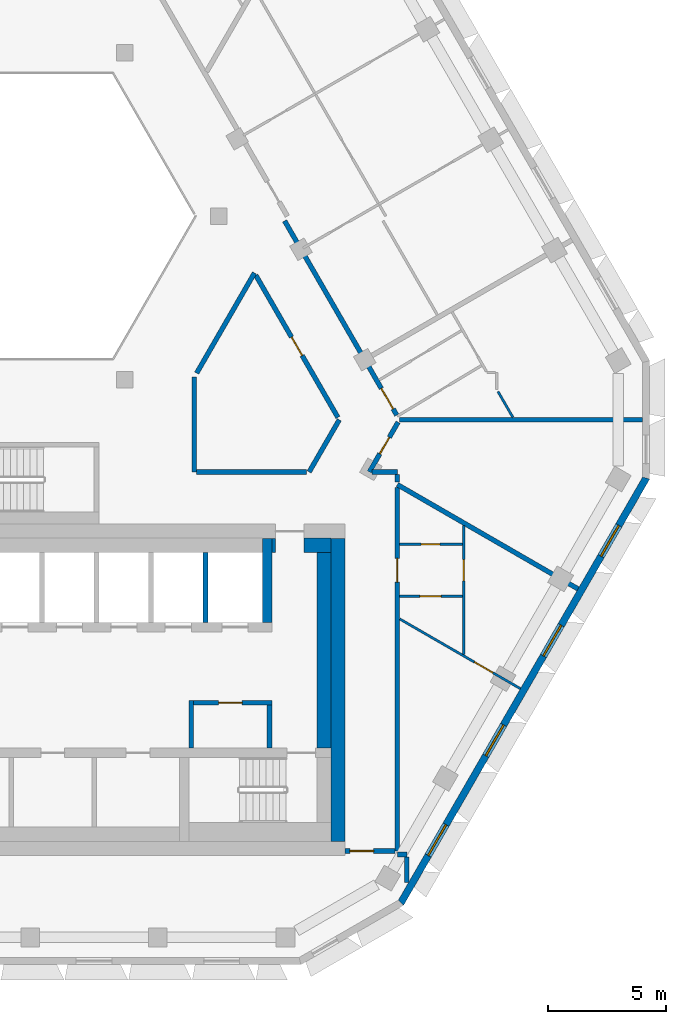
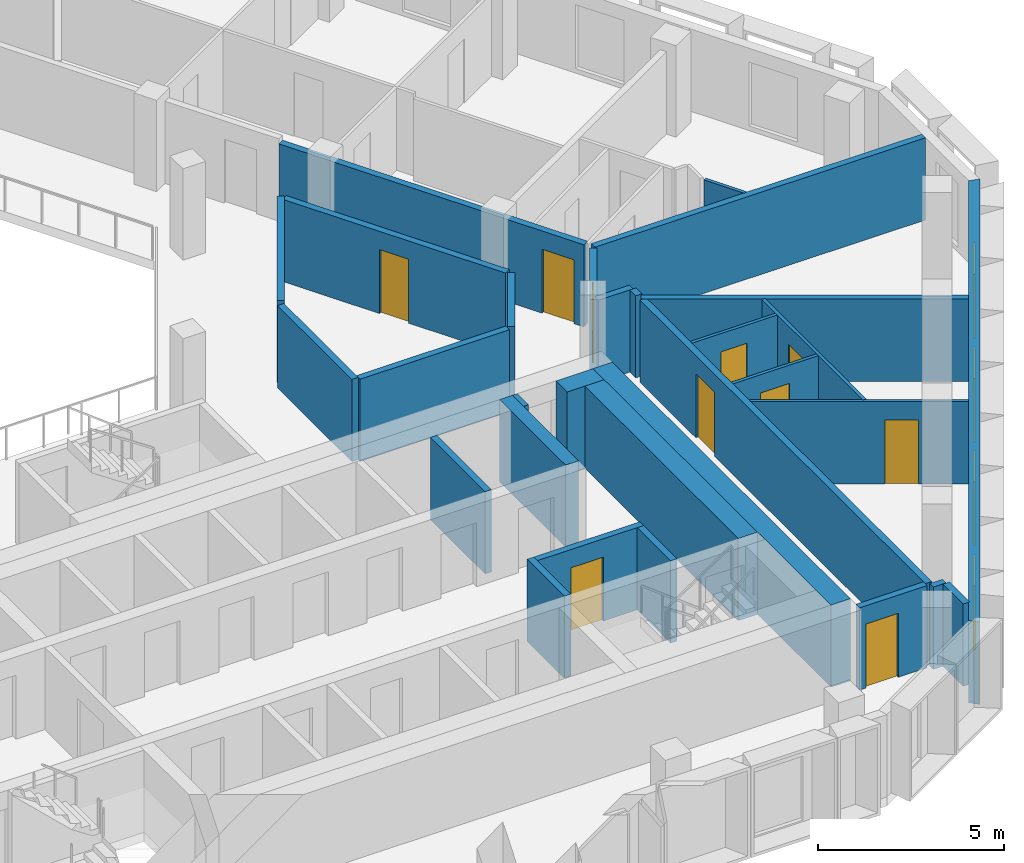
# One storey, part 5 of 15: 30 walls, 10 doors, 4 windows, 14 openings.
"""IFC4 building model written with IfcOpenShell, lengths in metres."""

from ifc_helpers import new_model, si_unit, direction, frame, frame_2d, origin, place, context, subcontext, project, spatial, polyline, rectangle, outline, extrude, material, layer, layer_set, type_object, element, fill, save


model = new_model("IFC4")

# Units and contexts
model_context = context("Model", 3, precision=1e-05, world=origin(), true_north=direction((0.0, 1.0)))
body_context = subcontext(model_context, "Body", "Model", "MODEL_VIEW")
ifc_project = project(units=[si_unit("LENGTHUNIT", "METRE"), si_unit("AREAUNIT", "SQUARE_METRE"), si_unit("VOLUMEUNIT", "CUBIC_METRE"), si_unit("PLANEANGLEUNIT", "RADIAN"), si_unit("MASSUNIT", "GRAM", prefix="KILO")], contexts=[model_context])

# Site, building, storey
site_placement = place(None, origin())
site = spatial("IfcSite", under=ifc_project, at=site_placement, CompositionType="ELEMENT")
building_placement = place(site_placement, origin())
building = spatial("IfcBuilding", under=site, at=building_placement, Name="Beryl Residences", CompositionType="ELEMENT")
storey_placement = place(building_placement, frame((0.0, 0.0, 193.199951171875)))
storey = spatial("IfcBuildingStorey", under=building, at=storey_placement, Name="L59", CompositionType="ELEMENT", Elevation=193.199951171875)

# Wall, openings, windows
ifc_material_1 = material(Name="Composite metal panel with mineral wool insulation")
ifc_layer_1 = layer(ifc_material_1, 0.300048828125)
ifc_layer_set_1 = layer_set([ifc_layer_1], Name="ES1 pale metal composite panel wall 300 mm")
wall_type_1 = type_object("IfcWallType", Name="ES1 pale metal composite panel wall 300 mm", PredefinedType="SOLIDWALL", material=ifc_layer_set_1)
wall_1_placement = place(storey_placement, frame((15.631103515625, -21.02490234375, 0.0), z_axis=(0.0, 0.0, 1.0), x_axis=(0.500018670445, 0.86601462413, 0.0)))
wall_1 = element("IfcWall", 1, at=wall_1_placement, inside=storey, type_object=wall_type_1, Name="ES1 external wall L59 SE", PredefinedType="SOLIDWALL", context=body_context, shape_type="SweptSolid", body=[
    extrude(outline(polyline([(0.0, -0.14990234375), (20.784912109375, -0.14990234375), (20.70458984375, 0.14990234375), (0.080322265625, 0.14990234375), (0.0, -0.14990234375)])), origin(), (0.0, 0.0, 1.0), 2.699951171875),
])
opening_1_placement = place(wall_1_placement, frame((2.345947265625, 0.0, 0.14990234375)))
opening_1 = element("IfcOpeningElement", 2, at=opening_1_placement, cuts=wall_1, Name="Opening W1", PredefinedType="OPENING", context=body_context, shape_type="SweptSolid", body=[
    extrude(rectangle(XDim=1.5, YDim=2.10009765625, at=frame_2d((0.75, 1.050048828125))), frame((0.0, 0.159912109375, 0.0), z_axis=(0.0, -1.0, 0.0), x_axis=(1.0, 0.0, 0.0)), (0.0, 0.0, 1.0), 0.320068359375),
])
opening_2_placement = place(wall_1_placement, frame((7.2099609375, 0.0, 0.14990234375)))
opening_2 = element("IfcOpeningElement", 3, at=opening_2_placement, cuts=wall_1, Name="Opening W1", PredefinedType="OPENING", context=body_context, shape_type="SweptSolid", body=[
    extrude(rectangle(XDim=1.5, YDim=2.10009765625, at=frame_2d((0.75, 1.050048828125))), frame((0.0, 0.159912109375, 0.0), z_axis=(0.0, -1.0, 0.0), x_axis=(1.0, 0.0, 0.0)), (0.0, 0.0, 1.0), 0.320068359375),
])
opening_3_placement = place(wall_1_placement, frame((12.072998046875, 0.0, 0.14990234375)))
opening_3 = element("IfcOpeningElement", 4, at=opening_3_placement, cuts=wall_1, Name="Opening W1", PredefinedType="OPENING", context=body_context, shape_type="SweptSolid", body=[
    extrude(rectangle(XDim=1.5, YDim=2.10009765625, at=frame_2d((0.75, 1.050048828125))), frame((0.0, 0.159912109375, 0.0), z_axis=(0.0, -1.0, 0.0), x_axis=(1.0, 0.0, 0.0)), (0.0, 0.0, 1.0), 0.320068359375),
])
opening_4_placement = place(wall_1_placement, frame((16.93798828125, 0.0, 0.14990234375)))
opening_4 = element("IfcOpeningElement", 5, at=opening_4_placement, cuts=wall_1, Name="Opening W1", PredefinedType="OPENING", context=body_context, shape_type="SweptSolid", body=[
    extrude(rectangle(XDim=1.5, YDim=2.10009765625, at=frame_2d((0.75, 1.050048828125))), frame((0.0, 0.159912109375, 0.0), z_axis=(0.0, -1.0, 0.0), x_axis=(1.0, 0.0, 0.0)), (0.0, 0.0, 1.0), 0.320068359375),
])
ifc_material_2 = material(Name="Aluminium and clear glass", Category="aluminium")
window_type = type_object("IfcWindowType", Name="W1 cell window 1500 x 2100 mm", PartitioningType="SINGLE_PANEL", PredefinedType="WINDOW", material=ifc_material_2)
window_1_placement = place(opening_1_placement, origin())
window_1 = element("IfcWindow", 6, at=window_1_placement, inside=storey, type_object=window_type, Name="W1 window L59 SE 2", OverallHeight=2.10009765625, OverallWidth=1.5, PartitioningType="SINGLE_PANEL", PredefinedType="WINDOW", context=body_context, shape_type="SweptSolid", body=[
    extrude(rectangle(XDim=1.5, YDim=2.10009765625, at=frame_2d((0.75, 1.050048828125))), frame((0.0, 0.030029296875, 0.0), z_axis=(0.0, -1.0, 0.0), x_axis=(1.0, 0.0, 0.0)), (0.0, 0.0, 1.0), 0.06005859375),
])
fill(opening_1, window_1)
window_2_placement = place(opening_2_placement, origin())
window_2 = element("IfcWindow", 7, at=window_2_placement, inside=storey, type_object=window_type, Name="W1 window L59 SE 4", OverallHeight=2.10009765625, OverallWidth=1.5, PartitioningType="SINGLE_PANEL", PredefinedType="WINDOW", context=body_context, shape_type="SweptSolid", body=[
    extrude(rectangle(XDim=1.5, YDim=2.10009765625, at=frame_2d((0.75, 1.050048828125))), frame((0.0, 0.030029296875, 0.0), z_axis=(0.0, -1.0, 0.0), x_axis=(1.0, 0.0, 0.0)), (0.0, 0.0, 1.0), 0.06005859375),
])
fill(opening_2, window_2)
window_3_placement = place(opening_3_placement, origin())
window_3 = element("IfcWindow", 8, at=window_3_placement, inside=storey, type_object=window_type, Name="W1 window L59 SE 6", OverallHeight=2.10009765625, OverallWidth=1.5, PartitioningType="SINGLE_PANEL", PredefinedType="WINDOW", context=body_context, shape_type="SweptSolid", body=[
    extrude(rectangle(XDim=1.5, YDim=2.10009765625, at=frame_2d((0.75, 1.050048828125))), frame((0.0, 0.030029296875, 0.0), z_axis=(0.0, -1.0, 0.0), x_axis=(1.0, 0.0, 0.0)), (0.0, 0.0, 1.0), 0.06005859375),
])
fill(opening_3, window_3)
window_4_placement = place(opening_4_placement, origin())
window_4 = element("IfcWindow", 9, at=window_4_placement, inside=storey, type_object=window_type, Name="W1 window L59 SE 8", OverallHeight=2.10009765625, OverallWidth=1.5, PartitioningType="SINGLE_PANEL", PredefinedType="WINDOW", context=body_context, shape_type="SweptSolid", body=[
    extrude(rectangle(XDim=1.5, YDim=2.10009765625, at=frame_2d((0.75, 1.050048828125))), frame((0.0, 0.030029296875, 0.0), z_axis=(0.0, -1.0, 0.0), x_axis=(1.0, 0.0, 0.0)), (0.0, 0.0, 1.0), 0.06005859375),
])
fill(opening_4, window_4)

# Wall
ifc_material_3 = material(Name="Gypsum board partition on steel studs", Category="steel")
ifc_layer_2 = layer(ifc_material_3, 0.10009765625)
ifc_layer_set_2 = layer_set([ifc_layer_2], Name="PT1 partition 100 mm gypsum board on steel studs")
wall_type_2 = type_object("IfcWallType", Name="PT1 partition 100 mm gypsum board on steel studs", PredefinedType="PARTITIONING", material=ifc_layer_set_2)
wall_2_placement = place(storey_placement, frame((19.75, 0.592041015625, 0.0), z_axis=(0.0, 0.0, 1.0), x_axis=(0.499974077718, -0.866040369504, 0.0)))
element("IfcWall", 10, at=wall_2_placement, inside=storey, type_object=wall_type_2, Name="Wall PT1 L59 005", PredefinedType="PARTITIONING", context=body_context, shape_type="SweptSolid", body=[
    extrude(rectangle(XDim=1.259765625, YDim=0.10009765625, at=frame_2d((0.6298828125, 0.0))), origin(), (0.0, 0.0, 1.0), 2.699951171875),
])

# Wall, opening, door
wall_3_placement = place(storey_placement, frame((15.60009765625, -9.008056640625, 0.0), z_axis=(0.0, 0.0, 1.0), x_axis=(0.866013576751, -0.500020484464, 0.0)))
wall_3 = element("IfcWall", 11, at=wall_3_placement, inside=storey, type_object=wall_type_2, Name="Wall PT1 L59 014", PredefinedType="PARTITIONING", context=body_context, shape_type="SweptSolid", body=[
    extrude(rectangle(XDim=5.885498046875, YDim=0.10009765625, at=frame_2d((2.94287109375, 0.0))), origin(), (0.0, 0.0, 1.0), 2.699951171875),
])
opening_5_placement = place(wall_3_placement, frame((3.639892578125, 0.0, 0.0)))
opening_5 = element("IfcOpeningElement", 12, at=opening_5_placement, cuts=wall_3, Name="Opening D1736", PredefinedType="OPENING", context=body_context, shape_type="SweptSolid", body=[
    extrude(rectangle(XDim=0.89990234375, YDim=2.10009765625, at=frame_2d((0.449951171875, 1.050048828125))), frame((0.0, 0.06005859375, 0.0), z_axis=(0.0, -1.0, 0.0), x_axis=(1.0, 0.0, 0.0)), (0.0, 0.0, 1.0), 0.1201171875),
])
ifc_material_4 = material(Name="Timber door leaf", Category="wood")
door_type_1 = type_object("IfcDoorType", Name="D2 room door 900 x 2100 mm", OperationType="SINGLE_SWING_LEFT", PredefinedType="DOOR", material=ifc_material_4)
door_1_placement = place(opening_5_placement, origin())
door_1 = element("IfcDoor", 13, at=door_1_placement, inside=storey, type_object=door_type_1, Name="Door D1736 L59 001", OperationType="SINGLE_SWING_RIGHT", OverallHeight=2.10009765625, OverallWidth=0.89990234375, PredefinedType="DOOR", context=body_context, shape_type="SweptSolid", body=[
    extrude(rectangle(XDim=0.89990234375, YDim=2.10009765625, at=frame_2d((0.449951171875, 1.050048828125))), frame((0.0, 0.02490234375, 0.0), z_axis=(0.0, -1.0, 0.0), x_axis=(1.0, 0.0, 0.0)), (0.0, 0.0, 1.0), 0.050048828125),
])
fill(opening_5, door_1)

wall_4_placement = place(storey_placement, frame((15.60009765625, -5.85107421875, 0.0), z_axis=(0.0, 0.0, 1.0), x_axis=(1.0, 0.0, 0.0)))
wall_4 = element("IfcWall", 14, at=wall_4_placement, inside=storey, type_object=wall_type_2, Name="Wall PT1 L59 017", PredefinedType="PARTITIONING", context=body_context, shape_type="SweptSolid", body=[
    extrude(rectangle(XDim=2.64990234375, YDim=0.10009765625, at=frame_2d((1.324951171875, 0.0))), origin(), (0.0, 0.0, 1.0), 2.699951171875),
])
opening_6_placement = place(wall_4_placement, frame((0.89990234375, 0.0, 0.0)))
opening_6 = element("IfcOpeningElement", 15, at=opening_6_placement, cuts=wall_4, Name="Opening D1733", PredefinedType="OPENING", context=body_context, shape_type="SweptSolid", body=[
    extrude(rectangle(XDim=0.800048828125, YDim=2.10009765625, at=frame_2d((0.39990234375, 1.050048828125))), frame((0.0, 0.06005859375, 0.0), z_axis=(0.0, -1.0, 0.0), x_axis=(1.0, 0.0, 0.0)), (0.0, 0.0, 1.0), 0.1201171875),
])
ifc_material_5 = material(Name="Timber door leaf", Category="wood")
door_type_2 = type_object("IfcDoorType", Name="D3 bathroom door 800 x 2100 mm", OperationType="SINGLE_SWING_LEFT", PredefinedType="DOOR", material=ifc_material_5)
door_2_placement = place(opening_6_placement, origin())
door_2 = element("IfcDoor", 16, at=door_2_placement, inside=storey, type_object=door_type_2, Name="Door D1733 L59 001", OperationType="SINGLE_SWING_LEFT", OverallHeight=2.10009765625, OverallWidth=0.800048828125, PredefinedType="DOOR", context=body_context, shape_type="SweptSolid", body=[
    extrude(rectangle(XDim=0.800048828125, YDim=2.10009765625, at=frame_2d((0.39990234375, 1.050048828125))), frame((0.0, 0.02490234375, 0.0), z_axis=(0.0, -1.0, 0.0), x_axis=(1.0, 0.0, 0.0)), (0.0, 0.0, 1.0), 0.050048828125),
])
fill(opening_6, door_2)

wall_5_placement = place(storey_placement, frame((15.60009765625, -8.051025390625, 0.0), z_axis=(0.0, 0.0, 1.0), x_axis=(1.0, 0.0, 0.0)))
wall_5 = element("IfcWall", 17, at=wall_5_placement, inside=storey, type_object=wall_type_2, Name="Wall PT1 L59 018", PredefinedType="PARTITIONING", context=body_context, shape_type="SweptSolid", body=[
    extrude(rectangle(XDim=2.64990234375, YDim=0.10009765625, at=frame_2d((1.324951171875, 0.0))), origin(), (0.0, 0.0, 1.0), 2.699951171875),
])
opening_7_placement = place(wall_5_placement, frame((0.85009765625, 0.0, 0.0)))
opening_7 = element("IfcOpeningElement", 18, at=opening_7_placement, cuts=wall_5, Name="Opening D1734", PredefinedType="OPENING", context=body_context, shape_type="SweptSolid", body=[
    extrude(rectangle(XDim=0.89990234375, YDim=2.10009765625, at=frame_2d((0.449951171875, 1.050048828125))), frame((0.0, 0.06005859375, 0.0), z_axis=(0.0, -1.0, 0.0), x_axis=(1.0, 0.0, 0.0)), (0.0, 0.0, 1.0), 0.1201171875),
])
door_3_placement = place(opening_7_placement, origin())
door_3 = element("IfcDoor", 19, at=door_3_placement, inside=storey, type_object=door_type_1, Name="Door D1734 L59 001", OperationType="SINGLE_SWING_RIGHT", OverallHeight=2.10009765625, OverallWidth=0.89990234375, PredefinedType="DOOR", context=body_context, shape_type="SweptSolid", body=[
    extrude(rectangle(XDim=0.89990234375, YDim=2.10009765625, at=frame_2d((0.449951171875, 1.050048828125))), frame((0.0, 0.02490234375, 0.0), z_axis=(0.0, -1.0, 0.0), x_axis=(1.0, 0.0, 0.0)), (0.0, 0.0, 1.0), 0.050048828125),
])
fill(opening_7, door_3)

wall_6_placement = place(storey_placement, frame((18.300048828125, -10.509033203125, 0.0), z_axis=(0.0, 0.0, 1.0), x_axis=(0.0, 1.0, 0.0)))
wall_6 = element("IfcWall", 20, at=wall_6_placement, inside=storey, type_object=wall_type_2, Name="Wall PT1 L59 032", PredefinedType="PARTITIONING", context=body_context, shape_type="SweptSolid", body=[
    extrude(rectangle(XDim=5.443115234375, YDim=0.10009765625, at=frame_2d((2.7216796875, 0.0))), origin(), (0.0, 0.0, 1.0), 2.699951171875),
])
opening_8_placement = place(wall_6_placement, frame((3.10888671875, 0.0, 0.0)))
opening_8 = element("IfcOpeningElement", 21, at=opening_8_placement, cuts=wall_6, Name="Opening D1735", PredefinedType="OPENING", context=body_context, shape_type="SweptSolid", body=[
    extrude(rectangle(XDim=0.89990234375, YDim=2.10009765625, at=frame_2d((0.449951171875, 1.050048828125))), frame((0.0, 0.06005859375, 0.0), z_axis=(0.0, -1.0, 0.0), x_axis=(1.0, 0.0, 0.0)), (0.0, 0.0, 1.0), 0.1201171875),
])
door_4_placement = place(opening_8_placement, origin())
door_4 = element("IfcDoor", 22, at=door_4_placement, inside=storey, type_object=door_type_1, Name="Door D1735 L59 001", OperationType="SINGLE_SWING_LEFT", OverallHeight=2.10009765625, OverallWidth=0.89990234375, PredefinedType="DOOR", context=body_context, shape_type="SweptSolid", body=[
    extrude(rectangle(XDim=0.89990234375, YDim=2.10009765625, at=frame_2d((0.449951171875, 1.050048828125))), frame((0.0, 0.02490234375, 0.0), z_axis=(0.0, -1.0, 0.0), x_axis=(1.0, 0.0, 0.0)), (0.0, 0.0, 1.0), 0.050048828125),
])
fill(opening_8, door_4)

# Wall
ifc_material_6 = material(Name="Concrete masonry", Category="masonry")
ifc_layer_3 = layer(ifc_material_6, 0.199951171875)
ifc_layer_set_3 = layer_set([ifc_layer_3], Name="PT13 lobby wall 200 mm")
wall_type_3 = type_object("IfcWallType", Name="PT13 lobby wall 200 mm", PredefinedType="PARTITIONING", material=ifc_layer_set_3)
wall_7_placement = place(storey_placement, frame((6.800048828125, -14.449951171875, 0.0), z_axis=(0.0, 0.0, 1.0), x_axis=(0.0, 1.0, 0.0)))
element("IfcWall", 23, at=wall_7_placement, inside=storey, type_object=wall_type_3, Name="Lobby wall 24", PredefinedType="PARTITIONING", context=body_context, shape_type="SweptSolid", body=[
    extrude(rectangle(XDim=2.0, YDim=0.199951171875, at=frame_2d((1.0, 0.0))), origin(), (0.0, 0.0, 1.0), 2.699951171875),
])

# Wall, opening, door
wall_8_placement = place(storey_placement, frame((6.89990234375, -12.550048828125, 0.0), z_axis=(0.0, 0.0, 1.0), x_axis=(1.0, 0.0, 0.0)))
wall_8 = element("IfcWall", 24, at=wall_8_placement, inside=storey, type_object=wall_type_3, Name="Lobby wall 25", PredefinedType="PARTITIONING", context=body_context, shape_type="SweptSolid", body=[
    extrude(rectangle(XDim=3.300048828125, YDim=0.199951171875, at=frame_2d((1.64990234375, 0.0))), origin(), (0.0, 0.0, 1.0), 2.699951171875),
])
opening_9_placement = place(wall_8_placement, frame((2.050048828125, 0.0, 0.0), z_axis=(0.0, 0.0, 1.0), x_axis=(-1.0, 0.0, 0.0)))
opening_9 = element("IfcOpeningElement", 25, at=opening_9_placement, cuts=wall_8, Name="Opening CD-D-A1", PredefinedType="OPENING", context=body_context, shape_type="SweptSolid", body=[
    extrude(rectangle(XDim=1.0, YDim=2.10009765625, at=frame_2d((0.5, 1.050048828125))), frame((0.0, 0.10986328125, 0.0), z_axis=(0.0, -1.0, 0.0), x_axis=(1.0, 0.0, 0.0)), (0.0, 0.0, 1.0), 0.219970703125),
])
ifc_material_7 = material(Name="Steel door leaf in steel frame", Category="steel")
door_type_3 = type_object("IfcDoorType", Name="D18 service room door 1000 x 2100 mm", OperationType="SINGLE_SWING_LEFT", PredefinedType="DOOR", material=ifc_material_7)
door_5_placement = place(opening_9_placement, origin())
door_5 = element("IfcDoor", 26, at=door_5_placement, inside=storey, type_object=door_type_3, Name="Door CD-D-A1 L59 001", OperationType="SINGLE_SWING_RIGHT", OverallHeight=2.10009765625, OverallWidth=1.0, PredefinedType="DOOR", context=body_context, shape_type="SweptSolid", body=[
    extrude(rectangle(XDim=1.0, YDim=2.10009765625, at=frame_2d((0.5, 1.050048828125))), frame((0.0, 0.02490234375, 0.0), z_axis=(0.0, -1.0, 0.0), x_axis=(1.0, 0.0, 0.0)), (0.0, 0.0, 1.0), 0.050048828125),
])
fill(opening_9, door_5)

# Walls
wall_9_placement = place(storey_placement, frame((10.10009765625, -14.449951171875, 0.0), z_axis=(0.0, 0.0, 1.0), x_axis=(0.0, 1.0, 0.0)))
element("IfcWall", 27, at=wall_9_placement, inside=storey, type_object=wall_type_3, Name="Lobby wall 27", PredefinedType="PARTITIONING", context=body_context, shape_type="SweptSolid", body=[
    extrude(rectangle(XDim=1.800048828125, YDim=0.199951171875, at=frame_2d((0.89990234375, 0.0))), origin(), (0.0, 0.0, 1.0), 2.699951171875),
])
ifc_material_8 = material(Name="Concrete masonry", Category="masonry")
ifc_layer_4 = layer(ifc_material_8, 0.14990234375)
ifc_layer_set_4 = layer_set([ifc_layer_4], Name="PT13-150 lobby wall 150 mm")
wall_type_4 = type_object("IfcWallType", Name="PT13-150 lobby wall 150 mm", PredefinedType="PARTITIONING", material=ifc_layer_set_4)
wall_10_placement = place(storey_placement, frame((10.27490234375, -6.199951171875, 0.0), z_axis=(0.0, 0.0, 1.0), x_axis=(0.0, 1.0, 0.0)))
element("IfcWall", 28, at=wall_10_placement, inside=storey, type_object=wall_type_4, Name="Lobby wall 28", PredefinedType="PARTITIONING", context=body_context, shape_type="SweptSolid", body=[
    extrude(rectangle(XDim=0.599853515625, YDim=0.14990234375, at=frame_2d((0.2998046875, 0.0))), origin(), (0.0, 0.0, 1.0), 2.699951171875),
])
ifc_material_9 = material(Name="Concrete masonry", Category="masonry")
ifc_layer_5 = layer(ifc_material_9, 0.60009765625)
ifc_layer_set_5 = layer_set([ifc_layer_5], Name="PT13-600 lobby wall 600 mm")
wall_type_5 = type_object("IfcWallType", Name="PT13-600 lobby wall 600 mm", PredefinedType="PARTITIONING", material=ifc_layer_set_5)
wall_11_placement = place(storey_placement, frame((11.550048828125, -5.89990234375, 0.0), z_axis=(0.0, 0.0, 1.0), x_axis=(1.0, 0.0, 0.0)))
element("IfcWall", 29, at=wall_11_placement, inside=storey, type_object=wall_type_5, Name="Lobby wall 29", PredefinedType="PARTITIONING", context=body_context, shape_type="SweptSolid", body=[
    extrude(rectangle(XDim=1.14990234375, YDim=0.60009765625, at=frame_2d((0.574951171875, 0.0))), origin(), (0.0, 0.0, 1.0), 2.699951171875),
])
wall_12_placement = place(storey_placement, frame((12.39990234375, -14.449951171875, 0.0), z_axis=(0.0, 0.0, 1.0), x_axis=(0.0, 1.0, 0.0)))
element("IfcWall", 30, at=wall_12_placement, inside=storey, type_object=wall_type_5, Name="Lobby wall 31", PredefinedType="PARTITIONING", context=body_context, shape_type="SweptSolid", body=[
    extrude(rectangle(XDim=8.25, YDim=0.60009765625, at=frame_2d((4.125, 0.0))), origin(), (0.0, 0.0, 1.0), 2.699951171875),
])
ifc_material_10 = material(Name="Acoustic double stud gypsum board wall")
ifc_layer_6 = layer(ifc_material_10, 0.199951171875)
ifc_layer_set_6 = layer_set([ifc_layer_6], Name="PT3 party wall 200 mm acoustic double stud")
wall_type_6 = type_object("IfcWallType", Name="PT3 party wall 200 mm acoustic double stud", PredefinedType="PARTITIONING", material=ifc_layer_set_6)
wall_13_placement = place(storey_placement, frame((15.89990234375, -19.051025390625, 0.0), z_axis=(0.0, 0.0, 1.0), x_axis=(0.0, -1.0, 0.0)))
element("IfcWall", 31, at=wall_13_placement, inside=storey, type_object=wall_type_6, Name="Wall PT3 L59 002", PredefinedType="PARTITIONING", context=body_context, shape_type="SweptSolid", body=[
    extrude(rectangle(XDim=1.0869140625, YDim=0.199951171875, at=frame_2d((0.54345703125, 0.0))), origin(), (0.0, 0.0, 1.0), 2.699951171875),
])
wall_14_placement = place(storey_placement, frame((15.5, -3.333984375, 0.0), z_axis=(0.0, 0.0, 1.0), x_axis=(0.866001896501, -0.5000407136, 0.0)))
element("IfcWall", 32, at=wall_14_placement, inside=storey, type_object=wall_type_6, Name="Wall PT3 L59 004", PredefinedType="PARTITIONING", context=body_context, shape_type="SweptSolid", body=[
    extrude(rectangle(XDim=8.809326171875, YDim=0.199951171875, at=frame_2d((4.40478515625, 0.0))), origin(), (0.0, 0.0, 1.0), 2.699951171875),
])
wall_15_placement = place(storey_placement, frame((15.587890625, -0.59912109375, 0.0), z_axis=(0.0, 0.0, 1.0), x_axis=(1.0, 0.0, 0.0)))
element("IfcWall", 33, at=wall_15_placement, inside=storey, type_object=wall_type_6, Name="Wall PT3 L59 006", PredefinedType="PARTITIONING", context=body_context, shape_type="SweptSolid", body=[
    extrude(rectangle(XDim=10.26611328125, YDim=0.199951171875, at=frame_2d((5.133056640625, 0.0))), origin(), (0.0, 0.0, 1.0), 2.699951171875),
])
wall_16_placement = place(storey_placement, frame((15.4990234375, -18.949951171875, 0.0), z_axis=(0.0, 0.0, 1.0), x_axis=(1.0, 0.0, 0.0)))
element("IfcWall", 34, at=wall_16_placement, inside=storey, type_object=wall_type_6, Name="Wall PT3 L59 013", PredefinedType="PARTITIONING", context=body_context, shape_type="SweptSolid", body=[
    extrude(rectangle(XDim=0.39990234375, YDim=0.199951171875, at=frame_2d((0.199951171875, 0.0))), origin(), (0.0, 0.0, 1.0), 2.699951171875),
])

# Wall, opening, door
ifc_material_11 = material(Name="Double stud gypsum board wall")
ifc_layer_7 = layer(ifc_material_11, 0.199951171875)
ifc_layer_set_7 = layer_set([ifc_layer_7], Name="PT4 corridor wall 200 mm double stud")
wall_type_7 = type_object("IfcWallType", Name="PT4 corridor wall 200 mm double stud", PredefinedType="PARTITIONING", material=ifc_layer_set_7)
wall_17_placement = place(storey_placement, frame((9.52587890625, 5.5, 0.0), z_axis=(0.0, 0.0, 1.0), x_axis=(0.500062092869, -0.865989551482, 0.0)))
wall_17 = element("IfcWall", 35, at=wall_17_placement, inside=storey, type_object=wall_type_7, Name="Wall PT4 L59 004", PredefinedType="PARTITIONING", context=body_context, shape_type="SweptSolid", body=[
    extrude(rectangle(XDim=6.92724609375, YDim=0.199951171875, at=frame_2d((3.463623046875, 0.0))), origin(), (0.0, 0.0, 1.0), 2.699951171875),
])
opening_10_placement = place(wall_17_placement, frame((3.013916015625, 0.0, 0.0)))
opening_10 = element("IfcOpeningElement", 36, at=opening_10_placement, cuts=wall_17, Name="Opening D1743", PredefinedType="OPENING", context=body_context, shape_type="SweptSolid", body=[
    extrude(rectangle(XDim=0.89990234375, YDim=2.10009765625, at=frame_2d((0.449951171875, 1.050048828125))), frame((0.0, 0.10986328125, 0.0), z_axis=(0.0, -1.0, 0.0), x_axis=(1.0, 0.0, 0.0)), (0.0, 0.0, 1.0), 0.219970703125),
])
door_6_placement = place(opening_10_placement, origin())
door_6 = element("IfcDoor", 37, at=door_6_placement, inside=storey, type_object=door_type_1, Name="Door D1743 L59 001", OperationType="SINGLE_SWING_LEFT", OverallHeight=2.10009765625, OverallWidth=0.89990234375, PredefinedType="DOOR", context=body_context, shape_type="SweptSolid", body=[
    extrude(rectangle(XDim=0.89990234375, YDim=2.10009765625, at=frame_2d((0.449951171875, 1.050048828125))), frame((0.0, 0.02490234375, 0.0), z_axis=(0.0, -1.0, 0.0), x_axis=(1.0, 0.0, 0.0)), (0.0, 0.0, 1.0), 0.050048828125),
])
fill(opening_10, door_6)

wall_18_placement = place(storey_placement, frame((10.739013671875, 7.800048828125, 0.0), z_axis=(0.0, 0.0, 1.0), x_axis=(0.500023726918, -0.866011704609, 0.0)))
wall_18 = element("IfcWall", 38, at=wall_18_placement, inside=storey, type_object=wall_type_7, Name="Wall PT4 L59 005", PredefinedType="PARTITIONING", context=body_context, shape_type="SweptSolid", body=[
    extrude(rectangle(XDim=9.4697265625, YDim=0.199951171875, at=frame_2d((4.73486328125, 0.0))), origin(), (0.0, 0.0, 1.0), 2.699951171875),
])
opening_11_placement = place(wall_18_placement, frame((8.16796875, 0.0, 0.0)))
opening_11 = element("IfcOpeningElement", 39, at=opening_11_placement, cuts=wall_18, Name="Opening D1738", PredefinedType="OPENING", context=body_context, shape_type="SweptSolid", body=[
    extrude(rectangle(XDim=1.0, YDim=2.10009765625, at=frame_2d((0.5, 1.050048828125))), frame((0.0, 0.10986328125, 0.0), z_axis=(0.0, -1.0, 0.0), x_axis=(1.0, 0.0, 0.0)), (0.0, 0.0, 1.0), 0.219970703125),
])
ifc_material_12 = material(Name="Timber door leaf", Category="wood")
door_type_4 = type_object("IfcDoorType", Name="D1 flat entrance door 1000 x 2100 mm", OperationType="SINGLE_SWING_LEFT", PredefinedType="DOOR", material=ifc_material_12)
door_7_placement = place(opening_11_placement, origin())
door_7 = element("IfcDoor", 40, at=door_7_placement, inside=storey, type_object=door_type_4, Name="Door D1738 L59 001", OperationType="SINGLE_SWING_RIGHT", OverallHeight=2.10009765625, OverallWidth=1.0, PredefinedType="DOOR", context=body_context, shape_type="SweptSolid", body=[
    extrude(rectangle(XDim=1.0, YDim=2.10009765625, at=frame_2d((0.5, 1.050048828125))), frame((0.0, 0.02490234375, 0.0), z_axis=(0.0, -1.0, 0.0), x_axis=(1.0, 0.0, 0.0)), (0.0, 0.0, 1.0), 0.050048828125),
])
fill(opening_11, door_7)

# Wall
wall_19_placement = place(storey_placement, frame((15.5, -2.90087890625, 0.0), z_axis=(0.0, 0.0, 1.0), x_axis=(0.0, -1.0, 0.0)))
element("IfcWall", 41, at=wall_19_placement, inside=storey, type_object=wall_type_7, Name="Wall PT4 L59 007", PredefinedType="PARTITIONING", context=body_context, shape_type="SweptSolid", body=[
    extrude(rectangle(XDim=0.318115234375, YDim=0.199951171875, at=frame_2d((0.1591796875, 0.0))), origin(), (0.0, 0.0, 1.0), 2.699951171875),
])

# Wall, opening, door
wall_20_placement = place(storey_placement, frame((13.300048828125, -18.800048828125, 0.0), z_axis=(0.0, 0.0, 1.0), x_axis=(1.0, 0.0, 0.0)))
wall_20 = element("IfcWall", 42, at=wall_20_placement, inside=storey, type_object=wall_type_7, Name="Wall PT4 L59 009", PredefinedType="PARTITIONING", context=body_context, shape_type="SweptSolid", body=[
    extrude(rectangle(XDim=2.098876953125, YDim=0.199951171875, at=frame_2d((1.04931640625, 0.0))), origin(), (0.0, 0.0, 1.0), 2.699951171875),
])
opening_12_placement = place(wall_20_placement, frame((0.199951171875, 0.0, 0.0)))
opening_12 = element("IfcOpeningElement", 43, at=opening_12_placement, cuts=wall_20, Name="Opening D1744", PredefinedType="OPENING", context=body_context, shape_type="SweptSolid", body=[
    extrude(rectangle(XDim=1.0, YDim=2.10009765625, at=frame_2d((0.5, 1.050048828125))), frame((0.0, 0.10986328125, 0.0), z_axis=(0.0, -1.0, 0.0), x_axis=(1.0, 0.0, 0.0)), (0.0, 0.0, 1.0), 0.219970703125),
])
door_8_placement = place(opening_12_placement, origin())
door_8 = element("IfcDoor", 44, at=door_8_placement, inside=storey, type_object=door_type_4, Name="Door D1744 L59 001", OperationType="SINGLE_SWING_LEFT", OverallHeight=2.10009765625, OverallWidth=1.0, PredefinedType="DOOR", context=body_context, shape_type="SweptSolid", body=[
    extrude(rectangle(XDim=1.0, YDim=2.10009765625, at=frame_2d((0.5, 1.050048828125))), frame((0.0, 0.02490234375, 0.0), z_axis=(0.0, -1.0, 0.0), x_axis=(1.0, 0.0, 0.0)), (0.0, 0.0, 1.0), 0.050048828125),
])
fill(opening_12, door_8)

# Walls
wall_21_placement = place(storey_placement, frame((7.028076171875, -2.800048828125, 0.0), z_axis=(0.0, 0.0, 1.0), x_axis=(1.0, 0.0, 0.0)))
element("IfcWall", 45, at=wall_21_placement, inside=storey, type_object=wall_type_7, Name="Wall PT4 L59 012", PredefinedType="PARTITIONING", context=body_context, shape_type="SweptSolid", body=[
    extrude(rectangle(XDim=4.634033203125, YDim=0.199951171875, at=frame_2d((2.31689453125, 0.0))), origin(), (0.0, 0.0, 1.0), 2.699951171875),
])
wall_22_placement = place(storey_placement, frame((14.43310546875, -2.800048828125, 0.0), z_axis=(0.0, 0.0, 1.0), x_axis=(1.0, 0.0, 0.0)))
element("IfcWall", 46, at=wall_22_placement, inside=storey, type_object=wall_type_7, Name="Wall PT4 L59 013", PredefinedType="PARTITIONING", context=body_context, shape_type="SweptSolid", body=[
    extrude(rectangle(XDim=1.06591796875, YDim=0.199951171875, at=frame_2d((0.532958984375, 0.0))), origin(), (0.0, 0.0, 1.0), 2.699951171875),
])
wall_23_placement = place(storey_placement, frame((7.028076171875, 1.373046875, 0.0), z_axis=(0.0, 0.0, 1.0), x_axis=(0.500065924398, 0.86598733897, 0.0)))
element("IfcWall", 47, at=wall_23_placement, inside=storey, type_object=wall_type_7, Name="Wall PT4 L59 015", PredefinedType="PARTITIONING", context=body_context, shape_type="SweptSolid", body=[
    extrude(rectangle(XDim=4.881103515625, YDim=0.199951171875, at=frame_2d((2.4404296875, 0.0))), origin(), (0.0, 0.0, 1.0), 2.699951171875),
])
wall_24_placement = place(storey_placement, frame((11.777099609375, -2.800048828125, 0.0), z_axis=(0.0, 0.0, 1.0), x_axis=(0.500085537782, 0.86597601289, 0.0)))
element("IfcWall", 48, at=wall_24_placement, inside=storey, type_object=wall_type_7, Name="Wall PT4 L59 016", PredefinedType="PARTITIONING", context=body_context, shape_type="SweptSolid", body=[
    extrude(rectangle(XDim=2.54150390625, YDim=0.199951171875, at=frame_2d((1.270751953125, 0.0))), origin(), (0.0, 0.0, 1.0), 2.699951171875),
])

# Wall, opening, door
wall_25_placement = place(storey_placement, frame((14.318115234375, -2.800048828125, 0.0), z_axis=(0.0, 0.0, 1.0), x_axis=(0.49964693309, 0.866229151122, 0.0)))
wall_25 = element("IfcWall", 49, at=wall_25_placement, inside=storey, type_object=wall_type_7, Name="Wall PT4 L59 017", PredefinedType="PARTITIONING", context=body_context, shape_type="SweptSolid", body=[
    extrude(rectangle(XDim=2.425537109375, YDim=0.199951171875, at=frame_2d((1.212890625, 0.0))), origin(), (0.0, 0.0, 1.0), 2.699951171875),
])
opening_13_placement = place(wall_25_placement, frame((0.885986328125, 0.0, 0.0)))
opening_13 = element("IfcOpeningElement", 50, at=opening_13_placement, cuts=wall_25, Name="Opening D1737", PredefinedType="OPENING", context=body_context, shape_type="SweptSolid", body=[
    extrude(rectangle(XDim=0.800048828125, YDim=2.10009765625, at=frame_2d((0.39990234375, 1.050048828125))), frame((0.0, 0.10986328125, 0.0), z_axis=(0.0, -1.0, 0.0), x_axis=(1.0, 0.0, 0.0)), (0.0, 0.0, 1.0), 0.219970703125),
])
door_9_placement = place(opening_13_placement, origin())
door_9 = element("IfcDoor", 51, at=door_9_placement, inside=storey, type_object=door_type_2, Name="Door D1737 L59 001", OperationType="SINGLE_SWING_LEFT", OverallHeight=2.10009765625, OverallWidth=0.800048828125, PredefinedType="DOOR", context=body_context, shape_type="SweptSolid", body=[
    extrude(rectangle(XDim=0.800048828125, YDim=2.10009765625, at=frame_2d((0.39990234375, 1.050048828125))), frame((0.0, 0.02490234375, 0.0), z_axis=(0.0, -1.0, 0.0), x_axis=(1.0, 0.0, 0.0)), (0.0, 0.0, 1.0), 0.050048828125),
])
fill(opening_13, door_9)

# Wall
wall_26_placement = place(storey_placement, frame((6.927978515625, -2.800048828125, 0.0), z_axis=(0.0, 0.0, 1.0), x_axis=(0.0, 1.0, 0.0)))
element("IfcWall", 52, at=wall_26_placement, inside=storey, type_object=wall_type_7, Name="Wall PT4 L59 021", PredefinedType="PARTITIONING", context=body_context, shape_type="SweptSolid", body=[
    extrude(rectangle(XDim=4.0, YDim=0.199951171875, at=frame_2d((2.0, 0.0))), origin(), (0.0, 0.0, 1.0), 2.699951171875),
])

# Wall, opening, door
wall_27_placement = place(storey_placement, frame((15.5, -18.799072265625, 0.0), z_axis=(0.0, 0.0, 1.0), x_axis=(0.0, 1.0, 0.0)))
wall_27 = element("IfcWall", 53, at=wall_27_placement, inside=storey, type_object=wall_type_7, Name="Wall PT4 L59 022", PredefinedType="PARTITIONING", context=body_context, shape_type="SweptSolid", body=[
    extrude(rectangle(XDim=15.34912109375, YDim=0.199951171875, at=frame_2d((7.674560546875, 0.0))), origin(), (0.0, 0.0, 1.0), 2.699951171875),
])
opening_14_placement = place(wall_27_placement, frame((11.347900390625, 0.0, 0.0)))
opening_14 = element("IfcOpeningElement", 54, at=opening_14_placement, cuts=wall_27, Name="Opening D1732", PredefinedType="OPENING", context=body_context, shape_type="SweptSolid", body=[
    extrude(rectangle(XDim=1.0, YDim=2.10009765625, at=frame_2d((0.5, 1.050048828125))), frame((0.0, 0.10986328125, 0.0), z_axis=(0.0, -1.0, 0.0), x_axis=(1.0, 0.0, 0.0)), (0.0, 0.0, 1.0), 0.219970703125),
])
door_10_placement = place(opening_14_placement, origin())
door_10 = element("IfcDoor", 55, at=door_10_placement, inside=storey, type_object=door_type_4, Name="Door D1732 L59 001", OperationType="SINGLE_SWING_RIGHT", OverallHeight=2.10009765625, OverallWidth=1.0, PredefinedType="DOOR", context=body_context, shape_type="SweptSolid", body=[
    extrude(rectangle(XDim=1.0, YDim=2.10009765625, at=frame_2d((0.5, 1.050048828125))), frame((0.0, 0.02490234375, 0.0), z_axis=(0.0, -1.0, 0.0), x_axis=(1.0, 0.0, 0.0)), (0.0, 0.0, 1.0), 0.050048828125),
])
fill(opening_14, door_10)

# Walls
ifc_material_13 = material(Name="Concrete C40/50", Category="concrete")
ifc_layer_8 = layer(ifc_material_13, 0.199951171875)
ifc_layer_set_8 = layer_set([ifc_layer_8], Name="PT6 lift shaft wall 200 mm reinforced concrete C40/50")
wall_type_8 = type_object("IfcWallType", Name="PT6 lift shaft wall 200 mm reinforced concrete C40/50", PredefinedType="SOLIDWALL", material=ifc_layer_set_8)
wall_28_placement = place(storey_placement, frame((7.39990234375, -9.14990234375, 0.0), z_axis=(0.0, 0.0, 1.0), x_axis=(0.0, 1.0, 0.0)))
element("IfcWall", 56, at=wall_28_placement, inside=storey, type_object=wall_type_8, Name="Lift shaft wall 26", PredefinedType="SOLIDWALL", context=body_context, shape_type="SweptSolid", body=[
    extrude(rectangle(XDim=2.949951171875, YDim=0.199951171875, at=frame_2d((1.47509765625, 0.0))), origin(), (0.0, 0.0, 1.0), 2.699951171875),
])
ifc_material_14 = material(Name="Concrete C50/60", Category="concrete")
ifc_layer_9 = layer(ifc_material_14, 0.60009765625)
ifc_layer_set_9 = layer_set([ifc_layer_9], Name="SW4 core outer wall 600 mm C50/60")
wall_type_9 = type_object("IfcWallType", Name="SW4 core outer wall 600 mm C50/60", PredefinedType="SHEAR", material=ifc_layer_set_9)
wall_29_placement = place(storey_placement, frame((13.0, -18.39990234375, 0.0), z_axis=(0.0, 0.0, 1.0), x_axis=(0.0, 1.0, 0.0)))
element("IfcWall", 57, at=wall_29_placement, inside=storey, type_object=wall_type_9, Name="Core wall E L59", PredefinedType="SHEAR", context=body_context, shape_type="SweptSolid", body=[
    extrude(rectangle(XDim=12.7998046875, YDim=0.60009765625, at=frame_2d((6.39990234375, 0.0))), origin(), (0.0, 0.0, 1.0), 2.699951171875),
])
ifc_material_15 = material(Name="Concrete C50/60", Category="concrete")
ifc_layer_10 = layer(ifc_material_15, 0.39990234375)
ifc_layer_set_10 = layer_set([ifc_layer_10], Name="SW9 core internal wall 400 mm C50/60")
wall_type_10 = type_object("IfcWallType", Name="SW9 core internal wall 400 mm C50/60", PredefinedType="SHEAR", material=ifc_layer_set_10)
wall_30_placement = place(storey_placement, frame((10.0, -9.14990234375, 0.0), z_axis=(0.0, 0.0, 1.0), x_axis=(0.0, 1.0, 0.0)))
element("IfcWall", 58, at=wall_30_placement, inside=storey, type_object=wall_type_10, Name="Core wall XN2 L59", PredefinedType="SHEAR", context=body_context, shape_type="SweptSolid", body=[
    extrude(rectangle(XDim=3.5498046875, YDim=0.39990234375, at=frame_2d((1.77490234375, 0.0))), origin(), (0.0, 0.0, 1.0), 2.699951171875),
])

save(model, "model.ifc")
